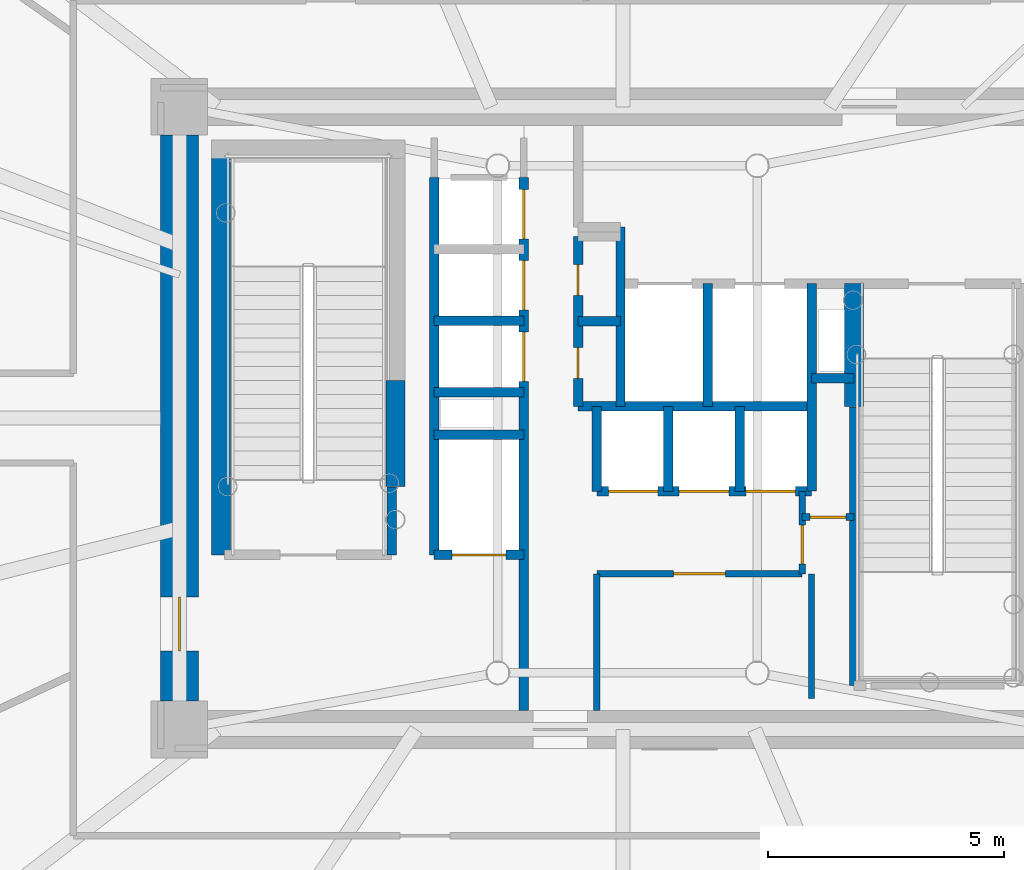
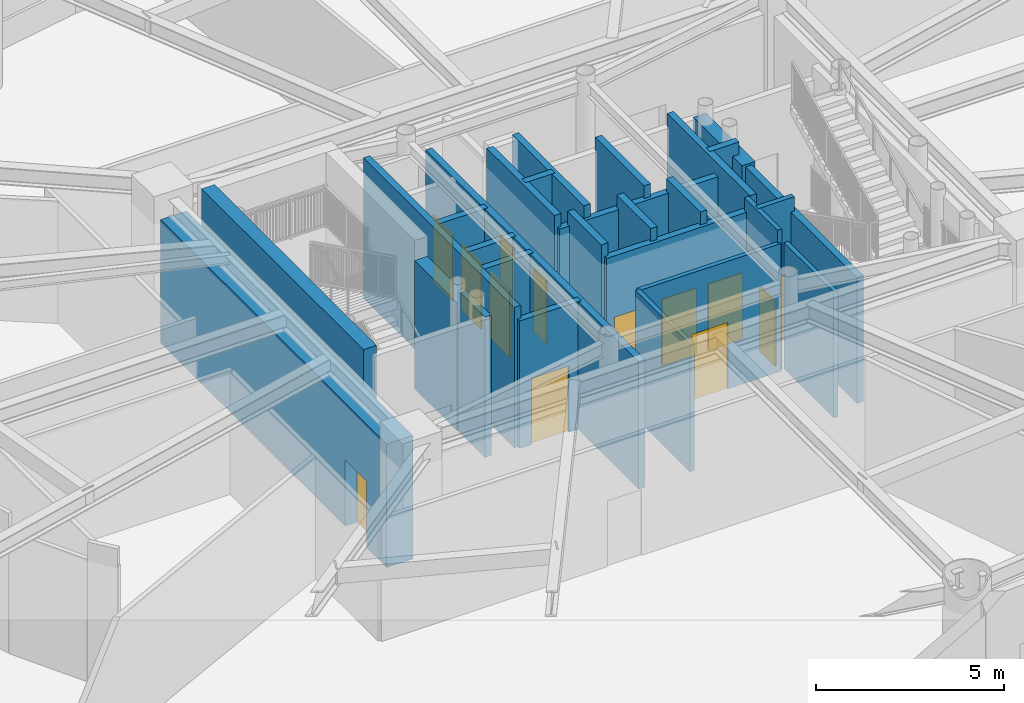
# One storey, part 28 of 38: 28 walls, 13 doors, 13 openings.
"""IFC4 building model written with IfcOpenShell, lengths in metres."""

from ifc_helpers import new_model, si_unit, direction, frame, frame_2d, origin, origin_2d, place, context, subcontext, project, spatial, rectangle, extrude, source, transform, mapped, material, layer, layer_set, type_object, element, fill, save


model = new_model("IFC4")

# Units and contexts
model_context = context("Model", 3, precision=1e-05, world=origin(), true_north=direction((0.0, 1.0)))
body_context = subcontext(model_context, "Body", "Model", "MODEL_VIEW")
ifc_project = project(units=[si_unit("LENGTHUNIT", "METRE"), si_unit("AREAUNIT", "SQUARE_METRE"), si_unit("VOLUMEUNIT", "CUBIC_METRE"), si_unit("PLANEANGLEUNIT", "RADIAN"), si_unit("MASSUNIT", "GRAM", prefix="KILO")], contexts=[model_context])

# Site, building, storey
site_placement = place(None, origin())
site = spatial("IfcSite", under=ifc_project, at=site_placement, CompositionType="ELEMENT")
building_placement = place(site_placement, origin())
building = spatial("IfcBuilding", under=site, at=building_placement, Name="Linh Dai School and Residence Tower", CompositionType="ELEMENT")
storey_placement = place(building_placement, frame((0.0, 0.0, 151.35009765625)))
storey = spatial("IfcBuildingStorey", under=building, at=storey_placement, Name="L36", CompositionType="ELEMENT", Elevation=151.35009765625)

# Wall
ifc_material_1 = material(Name="Autoclaved Aerated Concrete Blockwork", Category="masonry")
ifc_layer_1 = layer(ifc_material_1, 0.135009765625)
ifc_layer_set_1 = layer_set([ifc_layer_1], Name="Autoclaved Aerated Concrete Blockwork")
wall_type_1 = type_object("IfcWallType", Name="IW-CORR-135-EI90", PredefinedType="PARTITIONING", material=ifc_layer_set_1)
wall_1_placement = place(storey_placement, frame((35.449951171875, 20.800048828125, 0.0), z_axis=(0.0, 0.0, 1.0), x_axis=(0.0, 1.0, 0.0)))
element("IfcWall", 1, at=wall_1_placement, inside=storey, type_object=wall_type_1, Name="L36 Interior Partition Wall 030", PredefinedType="PARTITIONING", context=body_context, shape_type="SweptSolid", body=[
    extrude(rectangle(XDim=2.89990234375, YDim=0.135009765625, at=frame_2d((1.449951171875, 0.0))), origin(), (0.0, 0.0, 1.0), 4.135009765625),
])

# Wall, opening, door
wall_2_placement = place(storey_placement, frame((35.449951171875, 23.699951171875, 0.0), z_axis=(0.0, 0.0, 1.0), x_axis=(1.0, 0.0, 0.0)))
wall_2 = element("IfcWall", 2, at=wall_2_placement, inside=storey, type_object=wall_type_1, Name="L36 Interior Partition Wall 031", PredefinedType="PARTITIONING", context=body_context, shape_type="SweptSolid", body=[
    extrude(rectangle(XDim=4.35009765625, YDim=0.135009765625, at=frame_2d((2.175048828125, 0.0))), origin(), (0.0, 0.0, 1.0), 4.135009765625),
])
opening_1_placement = place(wall_2_placement, frame((1.625, 0.0, 0.0)))
opening_1 = element("IfcOpeningElement", 3, at=opening_1_placement, cuts=wall_2, Name="Opening D07", PredefinedType="OPENING", context=body_context, shape_type="SweptSolid", body=[
    extrude(rectangle(XDim=1.10009765625, YDim=2.14990234375, at=origin_2d()), frame((0.550048828125, 0.07763671875, 1.074951171875), z_axis=(0.0, -1.0, 0.0), x_axis=(1.0, 0.0, 0.0)), (0.0, 0.0, 1.0), 0.155029296875),
])
ifc_material_2 = material(Name="Fire-Rated Louvred Steel Plant Door", Category="steel")
door_type_1 = type_object("IfcDoorType", Name="DR-PLT-1100x2150-FD60S", OperationType="NOTDEFINED", PredefinedType="DOOR", material=ifc_material_2)
shared_shape_1 = source(origin(), body_context, "Body", "SweptSolid", [
    extrude(rectangle(XDim=1.10009765625, YDim=2.14990234375, at=origin_2d()), frame((0.550048828125, 0.02490234375, 1.074951171875), z_axis=(0.0, -1.0, 0.0), x_axis=(1.0, 0.0, 0.0)), (0.0, 0.0, 1.0), 0.050048828125),
])
door_1_placement = place(opening_1_placement, origin())
door_1 = element("IfcDoor", 4, at=door_1_placement, inside=storey, type_object=door_type_1, Name="L36 Tenant Metering and BMS Room Door", OperationType="SINGLE_SWING_RIGHT", OverallHeight=2.14990234375, OverallWidth=1.10009765625, PredefinedType="DOOR", context=body_context, shape_type="MappedRepresentation", body=[
    mapped(shared_shape_1, transform((0.0, 0.0, 0.0), x_axis=(1.0, 0.0, 0.0), y_axis=(0.0, 1.0, 0.0), z_axis=(0.0, 0.0, 1.0), scale=1.0)),
])
fill(opening_1, door_1)

wall_3_placement = place(storey_placement, frame((39.800048828125, 23.699951171875, 0.0), z_axis=(0.0, 0.0, 1.0), x_axis=(0.0, 1.0, 0.0)))
wall_3 = element("IfcWall", 5, at=wall_3_placement, inside=storey, type_object=wall_type_1, Name="L36 Interior Partition Wall 040", PredefinedType="PARTITIONING", context=body_context, shape_type="SweptSolid", body=[
    extrude(rectangle(XDim=1.75, YDim=0.135009765625, at=frame_2d((0.875, 0.0))), origin(), (0.0, 0.0, 1.0), 4.5498046875),
])
opening_2_placement = place(wall_3_placement, frame((0.2099609375, 0.0, 0.0)))
opening_2 = element("IfcOpeningElement", 6, at=opening_2_placement, cuts=wall_3, Name="Opening D06", PredefinedType="OPENING", context=body_context, shape_type="SweptSolid", body=[
    extrude(rectangle(XDim=0.820068359375, YDim=2.10009765625, at=origin_2d()), frame((0.41015625, 0.07763671875, 1.050048828125), z_axis=(0.0, -1.0, 0.0), x_axis=(1.0, 0.0, 0.0)), (0.0, 0.0, 1.0), 0.155029296875),
])
ifc_material_3 = material(Name="Moisture-Resistant Timber Bathroom Door", Category="wood")
door_type_2 = type_object("IfcDoorType", Name="DR-WET-820x2100", OperationType="NOTDEFINED", PredefinedType="DOOR", material=ifc_material_3)
shared_shape_2 = source(origin(), body_context, "Body", "SweptSolid", [
    extrude(rectangle(XDim=0.820068359375, YDim=2.10009765625, at=origin_2d()), frame((0.41015625, 0.02490234375, 1.050048828125), z_axis=(0.0, -1.0, 0.0), x_axis=(1.0, 0.0, 0.0)), (0.0, 0.0, 1.0), 0.050048828125),
])
door_2_placement = place(opening_2_placement, origin())
door_2 = element("IfcDoor", 7, at=door_2_placement, inside=storey, type_object=door_type_2, Name="L36 SE Metering Closet Door", OperationType="SINGLE_SWING_LEFT", OverallHeight=2.10009765625, OverallWidth=0.820068359375, PredefinedType="DOOR", context=body_context, shape_type="MappedRepresentation", body=[
    mapped(shared_shape_2, transform((0.0, 0.0, 0.0), x_axis=(1.0, 0.0, 0.0), y_axis=(0.0, 1.0, 0.0), z_axis=(0.0, 0.0, 1.0), scale=1.0)),
])
fill(opening_2, door_2)

# Wall
wall_4_placement = place(storey_placement, frame((40.0, 23.699951171875, 0.0), z_axis=(0.0, 0.0, 1.0), x_axis=(0.0, -1.0, 0.0)))
element("IfcWall", 8, at=wall_4_placement, inside=storey, type_object=wall_type_1, Name="L36 Interior Partition Wall 060", PredefinedType="PARTITIONING", context=body_context, shape_type="SweptSolid", body=[
    extrude(rectangle(XDim=2.639892578125, YDim=0.135009765625, at=frame_2d((1.31982421875, 0.0))), origin(), (0.0, 0.0, 1.0), 4.0849609375),
])

# Wall, opening, door
ifc_layer_2 = layer(ifc_material_1, 0.14990234375)
ifc_layer_set_2 = layer_set([ifc_layer_2], Name="Autoclaved Aerated Concrete Blockwork")
wall_type_2 = type_object("IfcWallType", Name="IW-SCH-150-EI60", PredefinedType="PARTITIONING", material=ifc_layer_set_2)
wall_5_placement = place(storey_placement, frame((39.800048828125, 24.89990234375, 0.0), z_axis=(0.0, 0.0, 1.0), x_axis=(1.0, 0.0, 0.0)))
wall_5 = element("IfcWall", 9, at=wall_5_placement, inside=storey, type_object=wall_type_2, Name="L36 Interior Partition Wall 041", PredefinedType="PARTITIONING", context=body_context, shape_type="SweptSolid", body=[
    extrude(rectangle(XDim=1.099853515625, YDim=0.14990234375, at=frame_2d((0.5498046875, 0.0))), origin(), (0.0, 0.0, 1.0), 4.5498046875),
])
opening_3_placement = place(wall_5_placement, frame((0.169921875, 0.0, 0.0)))
opening_3 = element("IfcOpeningElement", 10, at=opening_3_placement, cuts=wall_5, Name="Opening D08", PredefinedType="OPENING", context=body_context, shape_type="SweptSolid", body=[
    extrude(rectangle(XDim=0.760009765625, YDim=2.10009765625, at=origin_2d()), frame((0.3798828125, 0.0849609375, 1.050048828125), z_axis=(0.0, -1.0, 0.0), x_axis=(1.0, 0.0, 0.0)), (0.0, 0.0, 1.0), 0.169921875),
])
ifc_material_4 = material(Name="Engineered Timber Closet and Study Door", Category="wood")
door_type_3 = type_object("IfcDoorType", Name="DR-CMP-760x2100", OperationType="NOTDEFINED", PredefinedType="DOOR", material=ifc_material_4)
shared_shape_3 = source(origin(), body_context, "Body", "SweptSolid", [
    extrude(rectangle(XDim=0.760009765625, YDim=2.10009765625, at=origin_2d()), frame((0.3798828125, 0.02490234375, 1.050048828125), z_axis=(0.0, -1.0, 0.0), x_axis=(1.0, 0.0, 0.0)), (0.0, 0.0, 1.0), 0.050048828125),
])
door_3_placement = place(opening_3_placement, origin())
door_3 = element("IfcDoor", 11, at=door_3_placement, inside=storey, type_object=door_type_3, Name="L36 NE Cleaners Store Door", OperationType="SINGLE_SWING_RIGHT", OverallHeight=2.10009765625, OverallWidth=0.760009765625, PredefinedType="DOOR", context=body_context, shape_type="MappedRepresentation", body=[
    mapped(shared_shape_3, transform((0.0, 0.0, 0.0), x_axis=(1.0, 0.0, 0.0), y_axis=(0.0, 1.0, 0.0), z_axis=(0.0, 0.0, 1.0), scale=1.0)),
])
fill(opening_3, door_3)

# Walls
ifc_material_5 = material(Name="Concrete B45 (C35/45)", Category="concrete")
ifc_layer_3 = layer(ifc_material_5, 0.199951171875)
ifc_layer_set_3 = layer_set([ifc_layer_3], Name="Concrete B45 (C35/45)")
wall_type_3 = type_object("IfcWallType", Name="IW-SHAFT-200-EI120", PredefinedType="PARTITIONING", material=ifc_layer_set_3)
wall_6_placement = place(storey_placement, frame((31.10009765625, 24.10009765625, 0.0), z_axis=(0.0, 0.0, 1.0), x_axis=(0.0, 1.0, 0.0)))
element("IfcWall", 12, at=wall_6_placement, inside=storey, type_object=wall_type_3, Name="L36 Interior Partition Wall 015", PredefinedType="PARTITIONING", context=body_context, shape_type="SweptSolid", body=[
    extrude(rectangle(XDim=1.43994140625, YDim=0.199951171875, at=frame_2d((0.719970703125, 0.0))), origin(), (0.0, 0.0, 1.0), 4.5498046875),
])
wall_7_placement = place(storey_placement, frame((32.0, 24.10009765625, 0.0), z_axis=(0.0, 0.0, 1.0), x_axis=(0.0, 1.0, 0.0)))
element("IfcWall", 13, at=wall_7_placement, inside=storey, type_object=wall_type_3, Name="L36 Interior Partition Wall 016", PredefinedType="PARTITIONING", context=body_context, shape_type="SweptSolid", body=[
    extrude(rectangle(XDim=8.0, YDim=0.199951171875, at=frame_2d((4.0, 0.0))), origin(), (0.0, 0.0, 1.0), 4.5498046875),
])

# Wall, opening, door
wall_8_placement = place(storey_placement, frame((32.0, 24.10009765625, 0.0), z_axis=(0.0, 0.0, 1.0), x_axis=(1.0, 0.0, 0.0)))
wall_8 = element("IfcWall", 14, at=wall_8_placement, inside=storey, type_object=wall_type_3, Name="L36 Interior Partition Wall 017", PredefinedType="PARTITIONING", context=body_context, shape_type="SweptSolid", body=[
    extrude(rectangle(XDim=1.89990234375, YDim=0.199951171875, at=frame_2d((0.949951171875, 0.0))), origin(), (0.0, 0.0, 1.0), 4.135009765625),
])
opening_4_placement = place(wall_8_placement, frame((0.375, 0.0, 0.0)))
opening_4 = element("IfcOpeningElement", 15, at=opening_4_placement, cuts=wall_8, Name="Opening LD-FF2", PredefinedType="OPENING", context=body_context, shape_type="SweptSolid", body=[
    extrude(rectangle(XDim=1.14990234375, YDim=2.14990234375, at=origin_2d()), frame((0.574951171875, 0.10986328125, 1.074951171875), z_axis=(0.0, -1.0, 0.0), x_axis=(1.0, 0.0, 0.0)), (0.0, 0.0, 1.0), 0.219970703125),
])
ifc_material_6 = material(Name="Fire-Rated Stainless Steel Firefighting Lift Door", Category="steel")
door_type_4 = type_object("IfcDoorType", Name="DR-LD-FF-1150x2150-FD120", OperationType="DOUBLE_DOOR_SLIDING", PredefinedType="USERDEFINED", material=ifc_material_6)
shared_shape_4 = source(origin(), body_context, "Body", "SweptSolid", [
    extrude(rectangle(XDim=1.14990234375, YDim=2.14990234375, at=origin_2d()), frame((0.574951171875, 0.02490234375, 1.074951171875), z_axis=(0.0, -1.0, 0.0), x_axis=(1.0, 0.0, 0.0)), (0.0, 0.0, 1.0), 0.050048828125),
])
door_4_placement = place(opening_4_placement, origin())
door_4 = element("IfcDoor", 16, at=door_4_placement, inside=storey, type_object=door_type_4, Name="L36 Lift FF2 Sliding Landing Door", ObjectType="LANDING DOOR", OperationType="DOUBLE_DOOR_SLIDING", OverallHeight=2.14990234375, OverallWidth=1.14990234375, PredefinedType="USERDEFINED", context=body_context, shape_type="MappedRepresentation", body=[
    mapped(shared_shape_4, transform((0.0, 0.0, 0.0), x_axis=(1.0, 0.0, 0.0), y_axis=(0.0, 1.0, 0.0), z_axis=(0.0, 0.0, 1.0), scale=1.0)),
])
fill(opening_4, door_4)

# Walls
for number, where, z_axis, x_axis, name in (
    (17, (32.0, 26.64990234375, 0.0), (0.0, 0.0, 1.0), (1.0, 0.0, 0.0), "L36 Interior Partition Wall 018"),
    (18, (32.0, 27.550048828125, 0.0), (0.0, 0.0, 1.0), (1.0, 0.0, 0.0), "L36 Interior Partition Wall 019"),
    (19, (32.0, 29.06005859375, 0.0), (0.0, 0.0, 1.0), (1.0, 0.0, 0.0), "L36 Interior Partition Wall 020"),
):
    element("IfcWall", number, at=place(storey_placement, frame(where, z_axis=z_axis, x_axis=x_axis)), inside=storey, type_object=wall_type_3, Name=name, PredefinedType="PARTITIONING", context=body_context, shape_type="SweptSolid", body=[
        extrude(rectangle(XDim=1.89990234375, YDim=0.199951171875, at=frame_2d((0.949951171875, 0.0))), origin(), (0.0, 0.0, 1.0), 4.135009765625),
    ])

# Wall, openings, doors
wall_9_placement = place(storey_placement, frame((33.89990234375, 20.800048828125, 0.0), z_axis=(0.0, 0.0, 1.0), x_axis=(0.0, 1.0, 0.0)))
wall_9 = element("IfcWall", 20, at=wall_9_placement, inside=storey, type_object=wall_type_3, Name="L36 Interior Partition Wall 022", PredefinedType="PARTITIONING", context=body_context, shape_type="SweptSolid", body=[
    extrude(rectangle(XDim=11.300048828125, YDim=0.199951171875, at=frame_2d((5.64990234375, 0.0))), origin(), (0.0, 0.0, 1.0), 4.135009765625),
])
opening_5_placement = place(wall_9_placement, frame((6.97998046875, 0.0, 0.0)))
opening_5 = element("IfcOpeningElement", 21, at=opening_5_placement, cuts=wall_9, Name="Opening LD-PL4", PredefinedType="OPENING", context=body_context, shape_type="SweptSolid", body=[
    extrude(rectangle(XDim=1.050048828125, YDim=2.14990234375, at=origin_2d()), frame((0.52490234375, 0.10986328125, 1.074951171875), z_axis=(0.0, -1.0, 0.0), x_axis=(1.0, 0.0, 0.0)), (0.0, 0.0, 1.0), 0.219970703125),
])
opening_6_placement = place(wall_9_placement, frame((8.4951171875, 0.0, 0.0)))
opening_6 = element("IfcOpeningElement", 22, at=opening_6_placement, cuts=wall_9, Name="Opening LD-PL5", PredefinedType="OPENING", context=body_context, shape_type="SweptSolid", body=[
    extrude(rectangle(XDim=1.050048828125, YDim=2.14990234375, at=origin_2d()), frame((0.52490234375, 0.10986328125, 1.074951171875), z_axis=(0.0, -1.0, 0.0), x_axis=(1.0, 0.0, 0.0)), (0.0, 0.0, 1.0), 0.219970703125),
])
opening_7_placement = place(wall_9_placement, frame((9.9951171875, 0.0, 0.0)))
opening_7 = element("IfcOpeningElement", 23, at=opening_7_placement, cuts=wall_9, Name="Opening LD-PL6", PredefinedType="OPENING", context=body_context, shape_type="SweptSolid", body=[
    extrude(rectangle(XDim=1.050048828125, YDim=2.14990234375, at=origin_2d()), frame((0.52490234375, 0.10986328125, 1.074951171875), z_axis=(0.0, -1.0, 0.0), x_axis=(1.0, 0.0, 0.0)), (0.0, 0.0, 1.0), 0.219970703125),
])
ifc_material_7 = material(Name="Brushed Stainless Steel Lift Landing Door", Category="steel")
door_type_5 = type_object("IfcDoorType", Name="DR-LD-PASS-1050x2150", OperationType="DOUBLE_DOOR_SLIDING", PredefinedType="USERDEFINED", material=ifc_material_7)
shared_shape_5 = source(origin(), body_context, "Body", "SweptSolid", [
    extrude(rectangle(XDim=1.050048828125, YDim=2.14990234375, at=origin_2d()), frame((0.52490234375, 0.02490234375, 1.074951171875), z_axis=(0.0, -1.0, 0.0), x_axis=(1.0, 0.0, 0.0)), (0.0, 0.0, 1.0), 0.050048828125),
])
door_5_placement = place(opening_5_placement, origin())
door_5 = element("IfcDoor", 24, at=door_5_placement, inside=storey, type_object=door_type_5, Name="L36 Lift PL4 Sliding Landing Door", ObjectType="LANDING DOOR", OperationType="DOUBLE_DOOR_SLIDING", OverallHeight=2.14990234375, OverallWidth=1.050048828125, PredefinedType="USERDEFINED", context=body_context, shape_type="MappedRepresentation", body=[
    mapped(shared_shape_5, transform((0.0, 0.0, 0.0), x_axis=(1.0, 0.0, 0.0), y_axis=(0.0, 1.0, 0.0), z_axis=(0.0, 0.0, 1.0), scale=1.0)),
])
fill(opening_5, door_5)
door_6_placement = place(opening_6_placement, origin())
door_6 = element("IfcDoor", 25, at=door_6_placement, inside=storey, type_object=door_type_5, Name="L36 Lift PL5 Sliding Landing Door", ObjectType="LANDING DOOR", OperationType="DOUBLE_DOOR_SLIDING", OverallHeight=2.14990234375, OverallWidth=1.050048828125, PredefinedType="USERDEFINED", context=body_context, shape_type="MappedRepresentation", body=[
    mapped(shared_shape_5, transform((0.0, 0.0, 0.0), x_axis=(1.0, 0.0, 0.0), y_axis=(0.0, 1.0, 0.0), z_axis=(0.0, 0.0, 1.0), scale=1.0)),
])
fill(opening_6, door_6)
door_7_placement = place(opening_7_placement, origin())
door_7 = element("IfcDoor", 26, at=door_7_placement, inside=storey, type_object=door_type_5, Name="L36 Lift PL6 Sliding Landing Door", ObjectType="LANDING DOOR", OperationType="DOUBLE_DOOR_SLIDING", OverallHeight=2.14990234375, OverallWidth=1.050048828125, PredefinedType="USERDEFINED", context=body_context, shape_type="MappedRepresentation", body=[
    mapped(shared_shape_5, transform((0.0, 0.0, 0.0), x_axis=(1.0, 0.0, 0.0), y_axis=(0.0, 1.0, 0.0), z_axis=(0.0, 0.0, 1.0), scale=1.0)),
])
fill(opening_7, door_7)

wall_10_placement = place(storey_placement, frame((35.050048828125, 27.25, 0.0), z_axis=(0.0, 0.0, 1.0), x_axis=(0.0, 1.0, 0.0)))
wall_10 = element("IfcWall", 27, at=wall_10_placement, inside=storey, type_object=wall_type_3, Name="L36 Interior Partition Wall 024", PredefinedType="PARTITIONING", context=body_context, shape_type="SweptSolid", body=[
    extrude(rectangle(XDim=3.60009765625, YDim=0.199951171875, at=frame_2d((1.800048828125, 0.0))), origin(), (0.0, 0.0, 1.0), 4.5498046875),
])
opening_8_placement = place(wall_10_placement, frame((0.590087890625, 0.0, 0.0)))
opening_8 = element("IfcOpeningElement", 28, at=opening_8_placement, cuts=wall_10, Name="Opening AD1", PredefinedType="OPENING", context=body_context, shape_type="SweptSolid", body=[
    extrude(rectangle(XDim=0.659912109375, YDim=2.050048828125, at=origin_2d()), frame((0.330078125, 0.10986328125, 1.02490234375), z_axis=(0.0, -1.0, 0.0), x_axis=(1.0, 0.0, 0.0)), (0.0, 0.0, 1.0), 0.219970703125),
])
opening_9_placement = place(wall_10_placement, frame((2.35009765625, 0.0, 0.0)))
opening_9 = element("IfcOpeningElement", 29, at=opening_9_placement, cuts=wall_10, Name="Opening AD1", PredefinedType="OPENING", context=body_context, shape_type="SweptSolid", body=[
    extrude(rectangle(XDim=0.659912109375, YDim=2.050048828125, at=origin_2d()), frame((0.330078125, 0.10986328125, 1.02490234375), z_axis=(0.0, -1.0, 0.0), x_axis=(1.0, 0.0, 0.0)), (0.0, 0.0, 1.0), 0.219970703125),
])
ifc_material_8 = material(Name="Fire-Rated Steel Riser Access Door", Category="steel")
door_type_6 = type_object("IfcDoorType", Name="DR-ACC-660x2050-FD90S", OperationType="NOTDEFINED", PredefinedType="USERDEFINED", material=ifc_material_8)
shared_shape_6 = source(origin(), body_context, "Body", "SweptSolid", [
    extrude(rectangle(XDim=0.659912109375, YDim=2.050048828125, at=origin_2d()), frame((0.330078125, 0.02490234375, 1.02490234375), z_axis=(0.0, -1.0, 0.0), x_axis=(1.0, 0.0, 0.0)), (0.0, 0.0, 1.0), 0.050048828125),
])
door_8_placement = place(opening_8_placement, origin())
door_8 = element("IfcDoor", 30, at=door_8_placement, inside=storey, type_object=door_type_6, Name="L36 Telecom and Data Riser Access Door", ObjectType="ACCESS DOOR", OperationType="SINGLE_SWING_RIGHT", OverallHeight=2.050048828125, OverallWidth=0.659912109375, PredefinedType="USERDEFINED", context=body_context, shape_type="MappedRepresentation", body=[
    mapped(shared_shape_6, transform((0.0, 0.0, 0.0), x_axis=(1.0, 0.0, 0.0), y_axis=(0.0, 1.0, 0.0), z_axis=(0.0, 0.0, 1.0), scale=1.0)),
])
fill(opening_8, door_8)
door_9_placement = place(opening_9_placement, origin())
door_9 = element("IfcDoor", 31, at=door_9_placement, inside=storey, type_object=door_type_6, Name="L36 Mechanical and Plumbing Riser Access Door", ObjectType="ACCESS DOOR", OperationType="SINGLE_SWING_LEFT", OverallHeight=2.050048828125, OverallWidth=0.659912109375, PredefinedType="USERDEFINED", context=body_context, shape_type="MappedRepresentation", body=[
    mapped(shared_shape_6, transform((0.0, 0.0, 0.0), x_axis=(1.0, 0.0, 0.0), y_axis=(0.0, 1.0, 0.0), z_axis=(0.0, 0.0, 1.0), scale=1.0)),
])
fill(opening_9, door_9)

# Walls
wall_11_placement = place(storey_placement, frame((35.050048828125, 27.25, 0.0), z_axis=(0.0, 0.0, 1.0), x_axis=(1.0, 0.0, 0.0)))
element("IfcWall", 32, at=wall_11_placement, inside=storey, type_object=wall_type_3, Name="L36 Interior Partition Wall 025", PredefinedType="PARTITIONING", context=body_context, shape_type="SweptSolid", body=[
    extrude(rectangle(XDim=4.949951171875, YDim=0.199951171875, at=frame_2d((2.47509765625, 0.0))), origin(), (0.0, 0.0, 1.0), 4.135009765625),
])
wall_12_placement = place(storey_placement, frame((35.050048828125, 29.050048828125, 0.0), z_axis=(0.0, 0.0, 1.0), x_axis=(1.0, 0.0, 0.0)))
element("IfcWall", 33, at=wall_12_placement, inside=storey, type_object=wall_type_3, Name="L36 Interior Partition Wall 026", PredefinedType="PARTITIONING", context=body_context, shape_type="SweptSolid", body=[
    extrude(rectangle(XDim=0.89990234375, YDim=0.199951171875, at=frame_2d((0.449951171875, 0.0))), origin(), (0.0, 0.0, 1.0), 4.5498046875),
])
wall_13_placement = place(storey_placement, frame((35.449951171875, 25.449951171875, 0.0), z_axis=(0.0, 0.0, 1.0), x_axis=(0.0, 1.0, 0.0)))
element("IfcWall", 34, at=wall_13_placement, inside=storey, type_object=wall_type_3, Name="L36 Interior Partition Wall 032", PredefinedType="PARTITIONING", context=body_context, shape_type="SweptSolid", body=[
    extrude(rectangle(XDim=1.800048828125, YDim=0.199951171875, at=frame_2d((0.89990234375, 0.0))), origin(), (0.0, 0.0, 1.0), 4.5498046875),
])

# Wall, openings, doors
wall_14_placement = place(storey_placement, frame((35.449951171875, 25.449951171875, 0.0), z_axis=(0.0, 0.0, 1.0), x_axis=(1.0, 0.0, 0.0)))
wall_14 = element("IfcWall", 35, at=wall_14_placement, inside=storey, type_object=wall_type_3, Name="L36 Interior Partition Wall 033", PredefinedType="PARTITIONING", context=body_context, shape_type="SweptSolid", body=[
    extrude(rectangle(XDim=4.550048828125, YDim=0.199951171875, at=frame_2d((2.27490234375, 0.0))), origin(), (0.0, 0.0, 1.0), 4.135009765625),
])
opening_10_placement = place(wall_14_placement, frame((0.25, 0.0, 0.0)))
opening_10 = element("IfcOpeningElement", 36, at=opening_10_placement, cuts=wall_14, Name="Opening LD-PL7", PredefinedType="OPENING", context=body_context, shape_type="SweptSolid", body=[
    extrude(rectangle(XDim=1.050048828125, YDim=2.14990234375, at=origin_2d()), frame((0.52490234375, 0.10986328125, 1.074951171875), z_axis=(0.0, -1.0, 0.0), x_axis=(1.0, 0.0, 0.0)), (0.0, 0.0, 1.0), 0.219970703125),
])
opening_11_placement = place(wall_14_placement, frame((1.7451171875, 0.0, 0.0)))
opening_11 = element("IfcOpeningElement", 37, at=opening_11_placement, cuts=wall_14, Name="Opening LD-PL8", PredefinedType="OPENING", context=body_context, shape_type="SweptSolid", body=[
    extrude(rectangle(XDim=1.050048828125, YDim=2.14990234375, at=origin_2d()), frame((0.52490234375, 0.10986328125, 1.074951171875), z_axis=(0.0, -1.0, 0.0), x_axis=(1.0, 0.0, 0.0)), (0.0, 0.0, 1.0), 0.219970703125),
])
opening_12_placement = place(wall_14_placement, frame((3.1650390625, 0.0, 0.0)))
opening_12 = element("IfcOpeningElement", 38, at=opening_12_placement, cuts=wall_14, Name="Opening LD-PL9", PredefinedType="OPENING", context=body_context, shape_type="SweptSolid", body=[
    extrude(rectangle(XDim=1.050048828125, YDim=2.14990234375, at=origin_2d()), frame((0.52490234375, 0.10986328125, 1.074951171875), z_axis=(0.0, -1.0, 0.0), x_axis=(1.0, 0.0, 0.0)), (0.0, 0.0, 1.0), 0.219970703125),
])
door_10_placement = place(opening_10_placement, origin())
door_10 = element("IfcDoor", 39, at=door_10_placement, inside=storey, type_object=door_type_5, Name="L36 Lift PL7 Sliding Landing Door", ObjectType="LANDING DOOR", OperationType="DOUBLE_DOOR_SLIDING", OverallHeight=2.14990234375, OverallWidth=1.050048828125, PredefinedType="USERDEFINED", context=body_context, shape_type="MappedRepresentation", body=[
    mapped(shared_shape_5, transform((0.0, 0.0, 0.0), x_axis=(1.0, 0.0, 0.0), y_axis=(0.0, 1.0, 0.0), z_axis=(0.0, 0.0, 1.0), scale=1.0)),
])
fill(opening_10, door_10)
door_11_placement = place(opening_11_placement, origin())
door_11 = element("IfcDoor", 40, at=door_11_placement, inside=storey, type_object=door_type_5, Name="L36 Lift PL8 Sliding Landing Door", ObjectType="LANDING DOOR", OperationType="DOUBLE_DOOR_SLIDING", OverallHeight=2.14990234375, OverallWidth=1.050048828125, PredefinedType="USERDEFINED", context=body_context, shape_type="MappedRepresentation", body=[
    mapped(shared_shape_5, transform((0.0, 0.0, 0.0), x_axis=(1.0, 0.0, 0.0), y_axis=(0.0, 1.0, 0.0), z_axis=(0.0, 0.0, 1.0), scale=1.0)),
])
fill(opening_11, door_11)
door_12_placement = place(opening_12_placement, origin())
door_12 = element("IfcDoor", 41, at=door_12_placement, inside=storey, type_object=door_type_5, Name="L36 Lift PL9 Sliding Landing Door", ObjectType="LANDING DOOR", OperationType="DOUBLE_DOOR_SLIDING", OverallHeight=2.14990234375, OverallWidth=1.050048828125, PredefinedType="USERDEFINED", context=body_context, shape_type="MappedRepresentation", body=[
    mapped(shared_shape_5, transform((0.0, 0.0, 0.0), x_axis=(1.0, 0.0, 0.0), y_axis=(0.0, 1.0, 0.0), z_axis=(0.0, 0.0, 1.0), scale=1.0)),
])
fill(opening_12, door_12)

# Walls
wall_15_placement = place(storey_placement, frame((35.949951171875, 27.25, 0.0), z_axis=(0.0, 0.0, 1.0), x_axis=(0.0, 1.0, 0.0)))
element("IfcWall", 42, at=wall_15_placement, inside=storey, type_object=wall_type_3, Name="L36 Interior Partition Wall 034", PredefinedType="PARTITIONING", context=body_context, shape_type="SweptSolid", body=[
    extrude(rectangle(XDim=3.800048828125, YDim=0.199951171875, at=frame_2d((1.89990234375, 0.0))), origin(), (0.0, 0.0, 1.0), 4.5498046875),
])
wall_16_placement = place(storey_placement, frame((36.9599609375, 25.449951171875, 0.0), z_axis=(0.0, 0.0, 1.0), x_axis=(0.0, 1.0, 0.0)))
element("IfcWall", 43, at=wall_16_placement, inside=storey, type_object=wall_type_3, Name="L36 Interior Partition Wall 036", PredefinedType="PARTITIONING", context=body_context, shape_type="SweptSolid", body=[
    extrude(rectangle(XDim=1.800048828125, YDim=0.199951171875, at=frame_2d((0.89990234375, 0.0))), origin(), (0.0, 0.0, 1.0), 4.5498046875),
])
wall_17_placement = place(storey_placement, frame((37.800048828125, 27.25, 0.0), z_axis=(0.0, 0.0, 1.0), x_axis=(0.0, 1.0, 0.0)))
element("IfcWall", 44, at=wall_17_placement, inside=storey, type_object=wall_type_3, Name="L36 Interior Partition Wall 037", PredefinedType="PARTITIONING", context=body_context, shape_type="SweptSolid", body=[
    extrude(rectangle(XDim=2.60009765625, YDim=0.199951171875, at=frame_2d((1.300048828125, 0.0))), origin(), (0.0, 0.0, 1.0), 4.5498046875),
])
wall_18_placement = place(storey_placement, frame((38.47998046875, 25.449951171875, 0.0), z_axis=(0.0, 0.0, 1.0), x_axis=(0.0, 1.0, 0.0)))
element("IfcWall", 45, at=wall_18_placement, inside=storey, type_object=wall_type_3, Name="L36 Interior Partition Wall 038", PredefinedType="PARTITIONING", context=body_context, shape_type="SweptSolid", body=[
    extrude(rectangle(XDim=1.800048828125, YDim=0.199951171875, at=frame_2d((0.89990234375, 0.0))), origin(), (0.0, 0.0, 1.0), 4.5498046875),
])
wall_19_placement = place(storey_placement, frame((40.0, 25.449951171875, 0.0), z_axis=(0.0, 0.0, 1.0), x_axis=(0.0, 1.0, 0.0)))
element("IfcWall", 46, at=wall_19_placement, inside=storey, type_object=wall_type_3, Name="L36 Interior Partition Wall 042", PredefinedType="PARTITIONING", context=body_context, shape_type="SweptSolid", body=[
    extrude(rectangle(XDim=4.400146484375, YDim=0.199951171875, at=frame_2d((2.2001953125, 0.0))), origin(), (0.0, 0.0, 1.0), 4.5498046875),
])
wall_20_placement = place(storey_placement, frame((40.0, 27.85009765625, 0.0), z_axis=(0.0, 0.0, 1.0), x_axis=(1.0, 0.0, 0.0)))
element("IfcWall", 47, at=wall_20_placement, inside=storey, type_object=wall_type_3, Name="L36 Interior Partition Wall 043", PredefinedType="PARTITIONING", context=body_context, shape_type="SweptSolid", body=[
    extrude(rectangle(XDim=0.89990234375, YDim=0.199951171875, at=frame_2d((0.449951171875, 0.0))), origin(), (0.0, 0.0, 1.0), 4.5498046875),
])
wall_21_placement = place(storey_placement, frame((40.89990234375, 21.330078125, 0.0), z_axis=(0.0, 0.0, 1.0), x_axis=(0.0, 1.0, 0.0)))
element("IfcWall", 48, at=wall_21_placement, inside=storey, type_object=wall_type_3, Name="L36 Interior Partition Wall 044", PredefinedType="PARTITIONING", context=body_context, shape_type="SweptSolid", body=[
    extrude(rectangle(XDim=5.909912109375, YDim=0.199951171875, at=frame_2d((2.955078125, 0.0))), origin(), (0.0, 0.0, 1.0), 4.0849609375),
])
ifc_layer_4 = layer(ifc_material_5, 0.39990234375)
ifc_layer_set_4 = layer_set([ifc_layer_4], Name="Concrete B45 (C35/45)")
wall_type_4 = type_object("IfcWallType", Name="WL-CORE400", PredefinedType="SHEAR", material=ifc_layer_set_4)
wall_22_placement = place(storey_placement, frame((27.47998046875, 24.10009765625, 0.0), z_axis=(0.0, 0.0, 1.0), x_axis=(0.0, 1.0, 0.0)))
element("IfcWall", 49, at=wall_22_placement, inside=storey, type_object=wall_type_4, Name="L36 Core Stair ST1 Bearing Wall W", PredefinedType="SHEAR", context=body_context, shape_type="SweptSolid", body=[
    extrude(rectangle(XDim=8.599853515625, YDim=0.39990234375, at=frame_2d((4.2998046875, 0.0))), origin(), (0.0, 0.0, 1.0), 4.7998046875),
])
wall_23_placement = place(storey_placement, frame((31.179931640625, 25.550048828125, 0.0), z_axis=(0.0, 0.0, 1.0), x_axis=(0.0, 1.0, 0.0)))
element("IfcWall", 50, at=wall_23_placement, inside=storey, type_object=wall_type_4, Name="L36 Internal Core Shear Wall IW", PredefinedType="SHEAR", context=body_context, shape_type="SweptSolid", body=[
    extrude(rectangle(XDim=2.25, YDim=0.39990234375, at=frame_2d((1.125, 0.0))), origin(), (0.0, 0.0, 1.0), 4.14990234375),
])
wall_24_placement = place(storey_placement, frame((40.89990234375, 27.25, 0.0), z_axis=(0.0, 0.0, 1.0), x_axis=(0.0, 1.0, 0.0)))
element("IfcWall", 51, at=wall_24_placement, inside=storey, type_object=wall_type_4, Name="L36 Internal Core Shear Wall IE", PredefinedType="SHEAR", context=body_context, shape_type="SweptSolid", body=[
    extrude(rectangle(XDim=2.60009765625, YDim=0.39990234375, at=frame_2d((1.300048828125, 0.0))), origin(), (0.0, 0.0, 1.0), 4.14990234375),
])

# Wall, opening, door
ifc_material_9 = material(Name="Concrete B60 (C50/60)", Category="concrete")
ifc_layer_5 = layer(ifc_material_9, 0.800048828125)
ifc_layer_set_5 = layer_set([ifc_layer_5], Name="Concrete B60 (C50/60)")
wall_type_5 = type_object("IfcWallType", Name="WL-CORE800", PredefinedType="SHEAR", material=ifc_layer_set_5)
wall_25_placement = place(storey_placement, frame((26.60009765625, 21.0, 0.0), z_axis=(0.0, 0.0, 1.0), x_axis=(0.0, 1.0, 0.0)))
wall_25 = element("IfcWall", 52, at=wall_25_placement, inside=storey, type_object=wall_type_5, Name="L36 Central Core Shear Wall W", PredefinedType="SHEAR", context=body_context, shape_type="SweptSolid", body=[
    extrude(rectangle(XDim=12.0, YDim=0.800048828125, at=frame_2d((6.0, 0.0))), origin(), (0.0, 0.0, 1.0), 4.0),
])
opening_13_placement = place(wall_25_placement, frame((1.061279296875, 0.0, 0.0)))
opening_13 = element("IfcOpeningElement", 53, at=opening_13_placement, cuts=wall_25, Name="Opening D02", PredefinedType="OPENING", context=body_context, shape_type="SweptSolid", body=[
    extrude(rectangle(XDim=1.14990234375, YDim=2.14990234375, at=origin_2d()), frame((0.574951171875, 0.41015625, 1.074951171875), z_axis=(0.0, -1.0, 0.0), x_axis=(1.0, 0.0, 0.0)), (0.0, 0.0, 1.0), 0.820068359375),
])
ifc_material_10 = material(Name="Fire-Rated Glazed Steel Lobby Door", Category="steel")
door_type_7 = type_object("IfcDoorType", Name="DR-LOBBY-1150x2150-FD90S", OperationType="NOTDEFINED", PredefinedType="DOOR", material=ifc_material_10)
shared_shape_7 = source(origin(), body_context, "Body", "SweptSolid", [
    extrude(rectangle(XDim=1.14990234375, YDim=2.14990234375, at=origin_2d()), frame((0.574951171875, 0.02490234375, 1.074951171875), z_axis=(0.0, -1.0, 0.0), x_axis=(1.0, 0.0, 0.0)), (0.0, 0.0, 1.0), 0.050048828125),
])
door_13_placement = place(opening_13_placement, origin())
door_13 = element("IfcDoor", 54, at=door_13_placement, inside=storey, type_object=door_type_7, Name="L36 Firefighting Lobby Door", OperationType="SINGLE_SWING_LEFT", OverallHeight=2.14990234375, OverallWidth=1.14990234375, PredefinedType="DOOR", context=body_context, shape_type="MappedRepresentation", body=[
    mapped(shared_shape_7, transform((0.0, 0.0, 0.0), x_axis=(1.0, 0.0, 0.0), y_axis=(0.0, 1.0, 0.0), z_axis=(0.0, 0.0, 1.0), scale=1.0)),
])
fill(opening_13, door_13)

save(model, "model.ifc")
